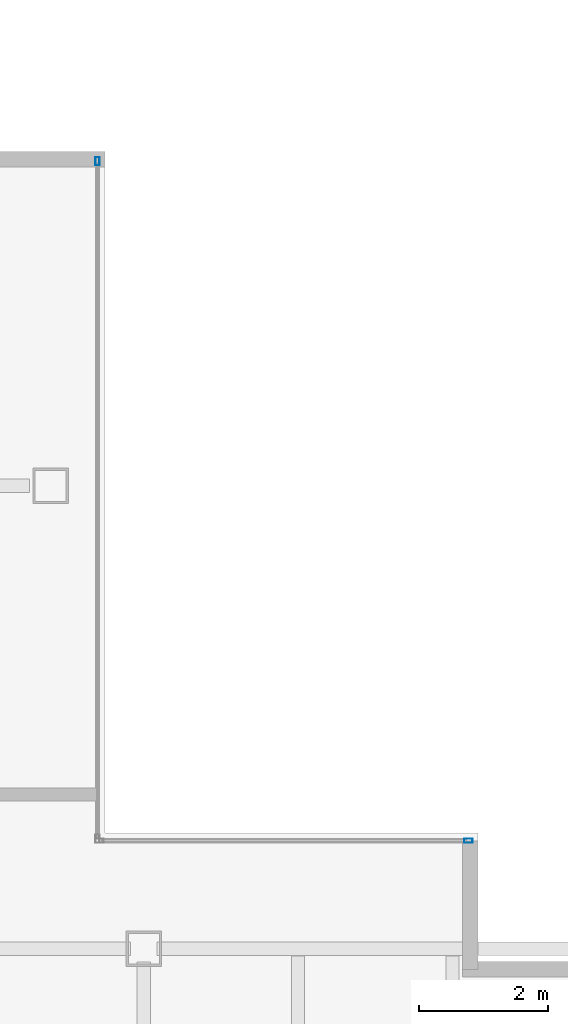
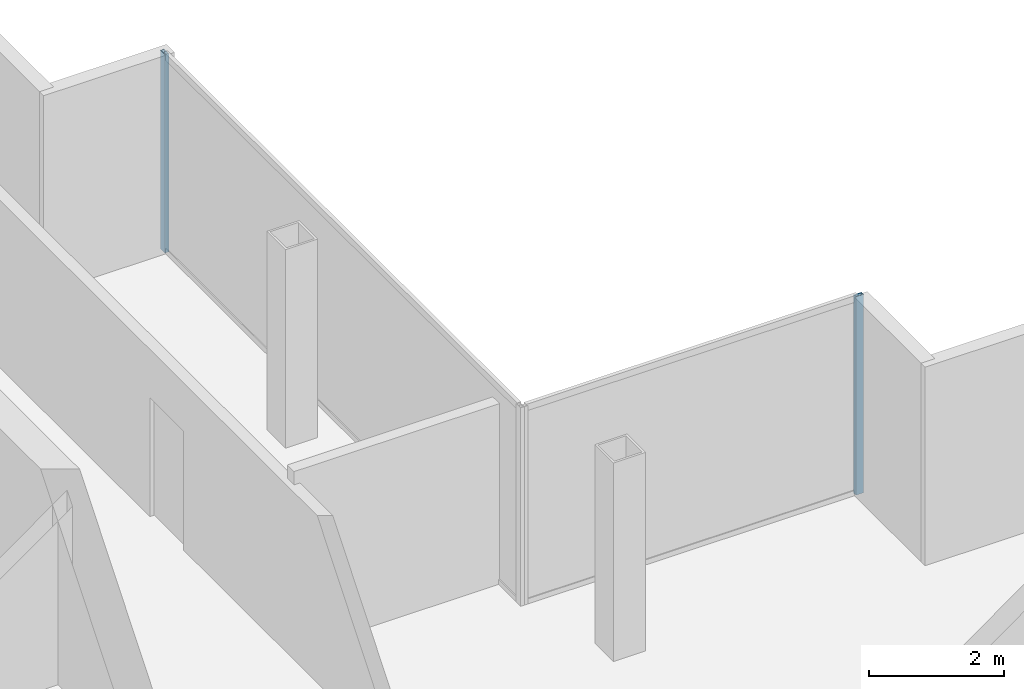
# One storey, part 11 of 16: 2 members, 2 elements without a shape of their own.
"""IFC4 building model written with IfcOpenShell, lengths in metres."""

from ifc_helpers import new_model, si_unit, direction, frame, origin, origin_2d, place, context, subcontext, project, spatial, hollow_rectangle, extrude, material, material_profile, profile_set, type_object, element, aggregate, save


model = new_model("IFC4")

# Units and contexts
model_context = context("Model", 3, precision=1e-05, world=origin(), true_north=direction((0.0, 1.0)))
body_context = subcontext(model_context, "Body", "Model", "MODEL_VIEW")
ifc_project = project(units=[si_unit("LENGTHUNIT", "METRE"), si_unit("AREAUNIT", "SQUARE_METRE"), si_unit("VOLUMEUNIT", "CUBIC_METRE"), si_unit("PLANEANGLEUNIT", "RADIAN"), si_unit("MASSUNIT", "GRAM", prefix="KILO")], contexts=[model_context])

# Site, building, storey
site_placement = place(None, origin())
site = spatial("IfcSite", under=ifc_project, at=site_placement, CompositionType="ELEMENT")
building_placement = place(site_placement, origin())
building = spatial("IfcBuilding", under=site, at=building_placement, Name="Cobrela Telecom Tower", CompositionType="ELEMENT")
storey_placement = place(building_placement, frame((0.0, 0.0, 293.64990234375)))
storey = spatial("IfcBuildingStorey", under=building, at=storey_placement, Name="L77", CompositionType="ELEMENT", Elevation=293.64990234375)

# Curtain wall, member
ifc_material = material(Name="Anodized Bronze Aluminium 6063-T6", Category="aluminium")
curtain_wall_type = type_object("IfcCurtainWallType", Name="CW-SYS-DRUM", PredefinedType="USERDEFINED", material=ifc_material)
curtain_wall_1_placement = place(storey_placement, origin())
curtain_wall_1 = element("IfcCurtainWall", 1, at=curtain_wall_1_placement, inside=storey, type_object=curtain_wall_type, Name="L77 Unitised Bronze Curtain Wall 04", ObjectType="UNITISED CURTAIN WALL", PredefinedType="USERDEFINED")
ifc_material_profile = material_profile(ifc_material, hollow_rectangle(XDim=0.06494140625, YDim=0.1298828125, WallThickness=0.00390625, at=origin_2d()), Name="ALU 65x130x4")
ifc_profile_set = profile_set([ifc_material_profile], Name="Anodized Bronze Aluminium 6063-T6")
member_type = type_object("IfcMemberType", Name="CW-SYS-DRUM-MUL", PredefinedType="MULLION", material=ifc_profile_set)
member_1_placement = place(storey_placement, frame((20.8798828125, 33.847412109375, 0.0), z_axis=(0.0, 0.0, 1.0), x_axis=(1.0, 0.0, 0.0)))
member_1 = element("IfcMember", 2, at=member_1_placement, type_object=member_type, Name="CW-DRUM mullion 1", PredefinedType="MULLION", context=body_context, shape_type="SweptSolid", body=[
    extrude(hollow_rectangle(XDim=0.06494140625, YDim=0.1298828125, WallThickness=0.00390625, at=origin_2d()), origin(), (0.0, 0.0, 1.0), 3.590087890625),
])
aggregate(curtain_wall_1, [member_1])

curtain_wall_2_placement = place(storey_placement, origin())
curtain_wall_2 = element("IfcCurtainWall", 3, at=curtain_wall_2_placement, inside=storey, type_object=curtain_wall_type, Name="L77 Unitised Bronze Curtain Wall 05", ObjectType="UNITISED CURTAIN WALL", PredefinedType="USERDEFINED")
member_2_placement = place(storey_placement, frame((26.6474609375, 23.280029296875, 0.0), z_axis=(0.0, 0.0, 1.0), x_axis=(0.0, 1.0, 0.0)))
member_2 = element("IfcMember", 4, at=member_2_placement, type_object=member_type, Name="CW-DRUM mullion 2", PredefinedType="MULLION", context=body_context, shape_type="SweptSolid", body=[
    extrude(hollow_rectangle(XDim=0.06494140625, YDim=0.1298828125, WallThickness=0.00390625, at=origin_2d()), origin(), (0.0, 0.0, 1.0), 3.590087890625),
])
aggregate(curtain_wall_2, [member_2])

save(model, "model.ifc")
